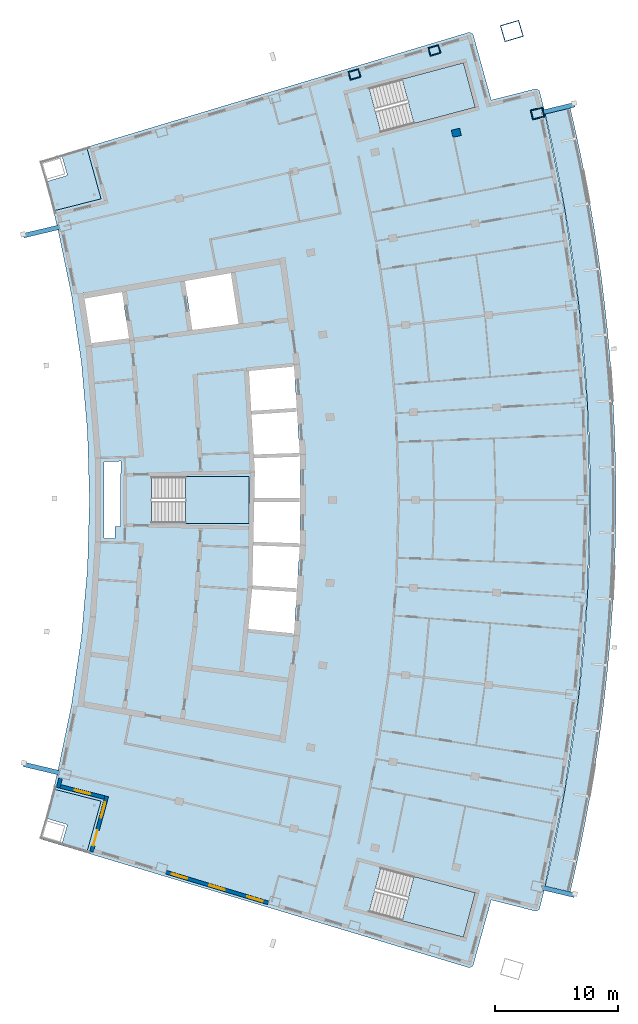
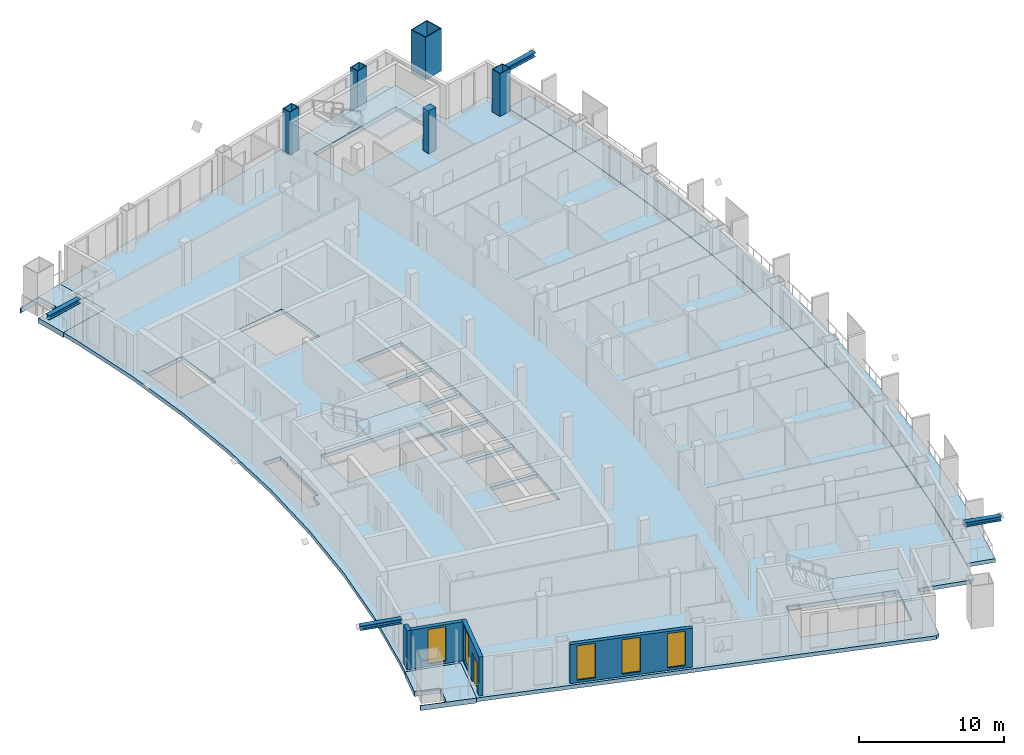
# One storey, part 6 of 17: 7 slabs, 5 columns, 5 windows, 4 members, 4 walls, 1 door, 6 openings, 3 elements without a shape of their own.
"""IFC4 building model written with IfcOpenShell, lengths in metres."""

from ifc_helpers import new_model, si_unit, direction, frame, frame_2d, origin, origin_2d, place, context, subcontext, project, spatial, polyline, rectangle, hollow_rectangle, i_section, outline, extrude, material, layer, layer_set, material_profile, profile_set, type_object, element, fill, aggregate, save


model = new_model("IFC4")

# Units and contexts
model_context = context("Model", 3, precision=1e-05, world=origin(), true_north=direction((0.0, 1.0)))
body_context = subcontext(model_context, "Body", "Model", "MODEL_VIEW")
ifc_project = project(units=[si_unit("LENGTHUNIT", "METRE"), si_unit("AREAUNIT", "SQUARE_METRE"), si_unit("VOLUMEUNIT", "CUBIC_METRE"), si_unit("PLANEANGLEUNIT", "RADIAN"), si_unit("MASSUNIT", "GRAM", prefix="KILO")], contexts=[model_context])

# Site, building, storey
site_placement = place(None, origin())
site = spatial("IfcSite", under=ifc_project, at=site_placement, CompositionType="ELEMENT")
building_placement = place(site_placement, origin())
building = spatial("IfcBuilding", under=site, at=building_placement, Name="Alderwake Tower", CompositionType="ELEMENT")
storey_placement = place(building_placement, frame((0.0, 0.0, 274.39990234375)))
storey = spatial("IfcBuildingStorey", under=building, at=storey_placement, Name="L68", CompositionType="ELEMENT", Elevation=274.39990234375)

# Columns
ifc_material_1 = material(Name="Steel ASTM A572 Grade 50 concrete filled C70/85", Category="concrete")
ifc_material_profile_1 = material_profile(ifc_material_1, hollow_rectangle(XDim=0.699951171875, YDim=0.89990234375, WallThickness=0.050048828125, at=origin_2d()), Name="BOX 900X700X50")
ifc_profile_set_1 = profile_set([ifc_material_profile_1], Name="Steel ASTM A572 Grade 50 concrete filled C70/85")
column_type_1 = type_object("IfcColumnType", Name="End column Z5", PredefinedType="COLUMN", material=ifc_profile_set_1)
for number, where, z_axis, x_axis, name in (
    (1, (37.59326171875, 95.678466796875, 0.0), (0.0, 0.0, 1.0), (-0.282858780249, 0.959161566388, 0.0), "Column R12-C3"),
    (2, (44.106201171875, 97.6337890625, 0.0), (0.0, 0.0, 1.0), (-0.28310485669, 0.95908896361, 0.0), "Column R12-C4"),
):
    element("IfcColumn", number, at=place(storey_placement, frame(where, z_axis=z_axis, x_axis=x_axis)), inside=storey, type_object=column_type_1, Name=name, PredefinedType="COLUMN", context=body_context, shape_type="SweptSolid", body=[
        extrude(hollow_rectangle(XDim=0.699951171875, YDim=0.89990234375, WallThickness=0.050048828125, at=origin_2d()), origin(), (0.0, 0.0, 1.0), 3.60009765625),
    ])
ifc_material_2 = material(Name="Concrete C70/85", Category="concrete")
ifc_material_profile_2 = material_profile(ifc_material_2, rectangle(XDim=0.60009765625, YDim=0.699951171875, at=origin_2d()), Name="RC 700X600")
ifc_profile_set_2 = profile_set([ifc_material_profile_2], Name="Concrete C70/85")
column_type_2 = type_object("IfcColumnType", Name="Interior column Z5", PredefinedType="COLUMN", material=ifc_profile_set_2)
column_1_placement = place(storey_placement, frame((45.893310546875, 90.920166015625, 0.0), z_axis=(0.0, 0.0, 1.0), x_axis=(-0.231221547198, 0.972901123502, 0.0)))
element("IfcColumn", 3, at=column_1_placement, inside=storey, type_object=column_type_2, Name="Column R11-C4", PredefinedType="COLUMN", context=body_context, shape_type="SweptSolid", body=[
    extrude(rectangle(XDim=0.60009765625, YDim=0.699951171875, at=origin_2d()), origin(), (0.0, 0.0, 1.0), 3.60009765625),
])
ifc_material_3 = material(Name="Steel ASTM A572 Grade 50 concrete filled C70/85", Category="concrete")
ifc_material_profile_3 = material_profile(ifc_material_3, hollow_rectangle(XDim=1.39990234375, YDim=1.60009765625, WallThickness=0.070068359375, at=origin_2d()), Name="BOX 1600X1400X70")
ifc_profile_set_3 = profile_set([ifc_material_profile_3], Name="Steel ASTM A572 Grade 50 concrete filled C70/85")
column_type_3 = type_object("IfcColumnType", Name="Mega column Z5", PredefinedType="COLUMN", material=ifc_profile_set_3)
column_2_placement = place(storey_placement, frame((50.415771484375, 99.217041015625, 0.0), z_axis=(0.0, 0.0, 1.0), x_axis=(-0.281214445816, 0.959644952816, 0.0)))
element("IfcColumn", 4, at=column_2_placement, inside=storey, type_object=column_type_3, Name="Column R12-C5", PredefinedType="COLUMN", context=body_context, shape_type="SweptSolid", body=[
    extrude(hollow_rectangle(XDim=1.39990234375, YDim=1.60009765625, WallThickness=0.070068359375, at=origin_2d()), origin(), (0.0, 0.0, 1.0), 3.60009765625),
])
ifc_material_4 = material(Name="Steel ASTM A572 Grade 50 concrete filled C70/85", Category="concrete")
ifc_material_profile_4 = material_profile(ifc_material_4, hollow_rectangle(XDim=0.800048828125, YDim=1.0, WallThickness=0.054931640625, at=origin_2d()), Name="BOX 1000X800X55")
ifc_profile_set_4 = profile_set([ifc_material_profile_4], Name="Steel ASTM A572 Grade 50 concrete filled C70/85")
column_type_4 = type_object("IfcColumnType", Name="Perimeter column Z5", PredefinedType="COLUMN", material=ifc_profile_set_4)
column_3_placement = place(storey_placement, frame((52.509033203125, 92.492431640625, 0.0), z_axis=(0.0, 0.0, 1.0), x_axis=(-0.231221547198, 0.972901123502, 0.0)))
element("IfcColumn", 5, at=column_3_placement, inside=storey, type_object=column_type_4, Name="Column R11-C5", PredefinedType="COLUMN", context=body_context, shape_type="SweptSolid", body=[
    extrude(hollow_rectangle(XDim=0.800048828125, YDim=1.0, WallThickness=0.054931640625, at=origin_2d()), origin(), (0.0, 0.0, 1.0), 3.60009765625),
])

# Members
ifc_material_5 = material(Name="Steel ASTM A992 Grade 50", Category="steel")
ifc_material_profile_5 = material_profile(ifc_material_5, i_section(OverallWidth=0.3740234375, OverallDepth=0.372314453125, WebThickness=0.016357421875, FlangeThickness=0.026123046875, at=origin_2d()), Name="W14X132")
ifc_profile_set_5 = profile_set([ifc_material_profile_5], Name="Steel ASTM A992 Grade 50")
member_type = type_object("IfcMemberType", Name="Brace node stub W14X132", PredefinedType="MEMBER", material=ifc_profile_set_5)
member_1_placement = place(storey_placement, frame((52.946533203125, 29.40185546875, 3.393798828125), z_axis=(0.97305090848, -0.230590393353, 0.0), x_axis=(0.230590393353, 0.97305090848, 0.0)))
element("IfcMember", 6, at=member_1_placement, inside=storey, type_object=member_type, Name="Brace node stub BS.FR03-C5.2780", PredefinedType="MEMBER", context=body_context, shape_type="SweptSolid", body=[
    extrude(i_section(OverallWidth=0.3740234375, OverallDepth=0.372314453125, WebThickness=0.016357421875, FlangeThickness=0.026123046875, at=origin_2d()), origin(), (0.0, 0.0, 1.0), 2.64892578125),
])
member_2_placement = place(storey_placement, frame((52.947265625, 92.5947265625, 3.393798828125), z_axis=(0.972745862566, 0.231873859803, 0.0), x_axis=(-0.231873859803, 0.972745862566, 0.0)))
element("IfcMember", 7, at=member_2_placement, inside=storey, type_object=member_type, Name="Brace node stub BS.FR11-C5.2780", PredefinedType="MEMBER", context=body_context, shape_type="SweptSolid", body=[
    extrude(i_section(OverallWidth=0.3740234375, OverallDepth=0.372314453125, WebThickness=0.016357421875, FlangeThickness=0.026123046875, at=origin_2d()), origin(), (0.0, 0.0, 1.0), 2.649169921875),
])
for number, where, z_axis, x_axis, name in (
    (8, (13.54443359375, 38.76806640625, 3.393798828125), (-0.972911461409, 0.2311780445, 0.0), (-0.2311780445, -0.972911461409, 0.0), "Brace node stub BS.RR03-C0.2780"),
    (9, (13.54443359375, 83.23193359375, 3.393798828125), (-0.972911461409, -0.2311780445, 0.0), (0.2311780445, -0.972911461409, 0.0), "Brace node stub BS.RR11-C0.2780"),
):
    element("IfcMember", number, at=place(storey_placement, frame(where, z_axis=z_axis, x_axis=x_axis)), inside=storey, type_object=member_type, Name=name, PredefinedType="MEMBER", context=body_context, shape_type="SweptSolid", body=[
        extrude(i_section(OverallWidth=0.3740234375, OverallDepth=0.372314453125, WebThickness=0.016357421875, FlangeThickness=0.026123046875, at=origin_2d()), origin(), (0.0, 0.0, 1.0), 3.0087890625),
    ])

# Slabs
ifc_material_6 = material(Name="Concrete C50/60", Category="concrete")
ifc_layer_1 = layer(ifc_material_6, 0.320068359375)
ifc_layer_set_1 = layer_set([ifc_layer_1], Name="Balcony slab 320")
slab_type_1 = type_object("IfcSlabType", Name="Balcony slab 320", PredefinedType="FLOOR", material=ifc_layer_set_1)
slab_1_placement = place(storey_placement, frame((0.0, 0.0, -0.31982421875)))
element("IfcSlab", 10, at=slab_1_placement, inside=storey, type_object=slab_type_1, Name="Balcony BF03", PredefinedType="FLOOR", context=body_context, shape_type="SweptSolid", body=[
    extrude(outline(polyline([(55.135986328125, 28.88330078125), (55.58984375, 30.857421875), (56.01513671875, 32.837890625), (56.411376953125, 34.82421875), (56.778564453125, 36.81640625), (57.11669921875, 38.813720703125), (57.425537109375, 40.8154296875), (57.705322265625, 42.82177734375), (57.955810546875, 44.831787109375), (58.177001953125, 46.84521484375), (58.36865234375, 48.86181640625), (58.531005859375, 50.880859375), (58.663818359375, 52.902099609375), (58.76708984375, 54.925048828125), (58.8408203125, 56.94921875), (58.88525390625, 58.974365234375), (58.89990234375, 61.0), (58.88525390625, 63.025634765625), (58.8408203125, 65.05078125), (58.76708984375, 67.074951171875), (58.663818359375, 69.097900390625), (58.531005859375, 71.119140625), (58.36865234375, 73.13818359375), (58.177001953125, 75.15478515625), (57.955810546875, 77.168212890625), (57.705322265625, 79.17822265625), (57.425537109375, 81.1845703125), (57.11669921875, 83.186279296875), (56.778564453125, 85.18359375), (56.411376953125, 87.17578125), (56.01513671875, 89.162109375), (55.58984375, 91.142578125), (55.135986328125, 93.11669921875), (53.093017578125, 92.631103515625), (53.5400390625, 90.68701171875), (53.958740234375, 88.736328125), (54.348876953125, 86.77978515625), (54.710693359375, 84.818115234375), (55.043701171875, 82.85107421875), (55.347900390625, 80.87939453125), (55.623291015625, 78.903564453125), (55.8701171875, 76.923828125), (56.087890625, 74.94091796875), (56.276611328125, 72.95458984375), (56.4365234375, 70.96630859375), (56.5673828125, 68.9755859375), (56.669189453125, 66.983154296875), (56.74169921875, 64.989501953125), (56.785400390625, 62.994873046875), (56.800048828125, 61.0), (56.785400390625, 59.005126953125), (56.74169921875, 57.010498046875), (56.669189453125, 55.016845703125), (56.5673828125, 53.0244140625), (56.4365234375, 51.03369140625), (56.276611328125, 49.04541015625), (56.087890625, 47.05908203125), (55.8701171875, 45.076171875), (55.623291015625, 43.096435546875), (55.347900390625, 41.12060546875), (55.043701171875, 39.14892578125), (54.710693359375, 37.181884765625), (54.348876953125, 35.22021484375), (53.958740234375, 33.263671875), (53.5400390625, 31.31298828125), (53.093017578125, 29.368896484375), (55.135986328125, 28.88330078125)])), origin(), (0.0, 0.0, 1.0), 0.31982421875),
])
ifc_material_7 = material(Name="Concrete C50/60", Category="concrete")
ifc_layer_2 = layer(ifc_material_7, 0.320068359375)
ifc_layer_set_2 = layer_set([ifc_layer_2], Name="Concrete C50/60 post-tensioned flat plate 320")
slab_type_2 = type_object("IfcSlabType", Name="Concrete C50/60 post-tensioned flat plate 320", PredefinedType="FLOOR", material=ifc_layer_set_2)
slab_2_placement = place(storey_placement, frame((0.0, 0.0, -0.31982421875)))
element("IfcSlab", 11, at=slab_2_placement, inside=storey, type_object=slab_type_2, Name="Floor slab L68", PredefinedType="FLOOR", context=body_context, shape_type="SweptSolid", body=[
    extrude(outline(polyline([(13.06494140625, 37.443115234375), (13.3984375, 38.802734375), (14.53369140625, 44.28564453125), (15.347412109375, 49.825439453125), (15.836669921875, 55.4033203125), (16.0, 61.0), (15.836669921875, 66.5966796875), (15.347412109375, 72.174560546875), (14.53369140625, 77.71435546875), (13.3984375, 83.197265625), (13.06494140625, 84.556884765625), (16.942626953125, 85.53857421875), (15.776611328125, 89.7548828125), (46.970947265625, 99.120361328125), (47.252685546875, 98.96484375), (48.73974609375, 93.587158203125), (52.394287109375, 94.51220703125), (52.672119140625, 94.34521484375), (53.093017578125, 92.631103515625), (54.710693359375, 84.818115234375), (55.8701171875, 76.923828125), (56.5673828125, 68.9755859375), (56.800048828125, 61.0), (56.5673828125, 53.0244140625), (55.8701171875, 45.076171875), (54.710693359375, 37.181884765625), (53.093017578125, 29.368896484375), (52.672119140625, 27.65478515625), (52.394287109375, 27.48779296875), (48.73974609375, 28.412841796875), (47.252685546875, 23.03515625), (46.970947265625, 22.879638671875), (15.776611328125, 32.2451171875), (16.942626953125, 36.46142578125), (13.06494140625, 37.443115234375)]), holes=[polyline([(29.25732421875, 53.7685546875), (28.939697265625, 50.49072265625), (32.646484375, 50.128173828125), (32.6318359375, 49.978759765625), (32.661865234375, 49.975830078125), (32.90087890625, 53.64794921875), (33.139892578125, 57.320068359375), (33.139892578125, 61.0), (33.139892578125, 64.679931640625), (32.90087890625, 68.35205078125), (32.661865234375, 72.024169921875), (32.6318359375, 72.021240234375), (32.646484375, 71.871826171875), (28.886962890625, 71.50390625), (28.88720703125, 71.50048828125), (28.99462890625, 71.506591796875), (29.184814453125, 68.26025390625), (32.861083984375, 68.499755859375), (32.87109375, 68.35009765625), (32.880615234375, 68.200439453125), (29.2021484375, 67.960693359375), (29.392578125, 64.7080078125), (33.105224609375, 64.828857421875), (33.110107421875, 64.678955078125), (33.114990234375, 64.529052734375), (29.41015625, 64.408447265625), (29.4765625, 63.27685546875), (29.429443359375, 61.14990234375), (33.110107421875, 61.14990234375), (33.110107421875, 61.0), (33.110107421875, 60.85009765625), (29.4228515625, 60.85009765625), (29.350830078125, 57.593505859375), (33.114990234375, 57.470947265625), (33.110107421875, 57.321044921875), (33.105224609375, 57.171142578125), (29.34423828125, 57.29345703125), (29.2705078125, 53.9697265625), (29.274169921875, 53.969482421875), (29.2783203125, 54.0341796875), (32.880615234375, 53.799560546875), (32.87109375, 53.64990234375), (32.861083984375, 53.500244140625), (29.2587890625, 53.73486328125), (29.260986328125, 53.768310546875), (29.25732421875, 53.7685546875)]), polyline([(21.050048828125, 62.875), (21.050048828125, 59.125), (29.0, 59.125), (29.0, 62.875), (21.050048828125, 62.875)]), polyline([(15.54345703125, 77.892822265625), (15.437744140625, 77.874267578125), (15.4384765625, 77.87060546875), (15.519287109375, 77.8828125), (16.180908203125, 73.579833984375), (16.210693359375, 73.583740234375), (16.184814453125, 73.781982421875), (19.224609375, 74.1796875), (18.656005859375, 77.940673828125), (18.852294921875, 77.97021484375), (18.8505859375, 77.980224609375), (15.626220703125, 77.418212890625), (15.54345703125, 77.892822265625)]), polyline([(27.521240234375, 79.491943359375), (23.77783203125, 78.83935546875), (24.384033203125, 74.858642578125), (24.3642578125, 74.855712890625), (24.36474609375, 74.851806640625), (28.152587890625, 75.347412109375), (27.521240234375, 79.491943359375)]), polyline([(47.436279296875, 28.996826171875), (39.754150390625, 31.043212890625), (38.7890625, 27.41943359375), (46.47119140625, 25.373291015625), (47.436279296875, 28.996826171875)]), polyline([(46.47119140625, 96.626708984375), (38.7890625, 94.58056640625), (39.754150390625, 90.956787109375), (47.436279296875, 93.003173828125), (46.47119140625, 96.626708984375)]), polyline([(17.189453125, 64.114990234375), (17.189453125, 57.885009765625), (18.06298828125, 57.85400390625), (18.090576171875, 58.84375), (18.544189453125, 58.831298828125), (18.529296875, 58.8681640625), (18.5234375, 58.891845703125), (18.5185546875, 58.940673828125), (18.5185546875, 63.060302734375), (18.5234375, 63.109130859375), (18.53759765625, 63.156005859375), (18.560791015625, 63.19921875), (18.588623046875, 63.2333984375), (18.562744140625, 64.16357421875), (17.189453125, 64.114990234375)])]), origin(), (0.0, 0.0, 1.0), 0.31982421875),
])

# Stair, slab
ifc_material_8 = material(Name="Concrete C40/50", Category="concrete")
stair_type = type_object("IfcStairType", Name="Core exit stair", PredefinedType="HALF_TURN_STAIR", material=ifc_material_8)
stair_1_placement = place(storey_placement, origin())
stair_1 = element("IfcStair", 12, at=stair_1_placement, inside=storey, type_object=stair_type, Name="L68 Exit Stair B", PredefinedType="HALF_TURN_STAIR")
ifc_material_9 = material(Name="Concrete C40/50", Category="concrete")
ifc_layer_3 = layer(ifc_material_9, 0.199951171875)
ifc_layer_set_3 = layer_set([ifc_layer_3], Name="Core stair landing 200")
slab_type_3 = type_object("IfcSlabType", Name="Core stair landing 200", PredefinedType="LANDING", material=ifc_layer_set_3)
slab_3_placement = place(storey_placement, frame((0.0, 0.0, 1.60009765625)))
slab_3 = element("IfcSlab", 13, at=slab_3_placement, type_object=slab_type_3, Name="ST-B landing 1", PredefinedType="LANDING", context=body_context, shape_type="SweptSolid", body=[
    extrude(outline(polyline([(23.830078125, 59.074951171875), (29.0, 59.074951171875), (29.0, 62.925048828125), (23.830078125, 62.925048828125), (23.830078125, 59.074951171875)])), origin(), (0.0, 0.0, 1.0), 0.199951171875),
])
aggregate(stair_1, [slab_3])

stair_2_placement = place(storey_placement, origin())
stair_2 = element("IfcStair", 14, at=stair_2_placement, inside=storey, type_object=stair_type, Name="L68 Exit Stair A", PredefinedType="HALF_TURN_STAIR")
slab_4_placement = place(storey_placement, frame((0.0, 0.0, 1.60009765625)))
slab_4 = element("IfcSlab", 15, at=slab_4_placement, type_object=slab_type_3, Name="ST-A landing 1", PredefinedType="LANDING", context=body_context, shape_type="SweptSolid", body=[
    extrude(outline(polyline([(42.440673828125, 91.67236328125), (47.436279296875, 93.003173828125), (46.47119140625, 96.626708984375), (41.475341796875, 95.296142578125), (42.440673828125, 91.67236328125)])), origin(), (0.0, 0.0, 1.0), 0.199951171875),
])
aggregate(stair_2, [slab_4])

stair_3_placement = place(storey_placement, origin())
stair_3 = element("IfcStair", 16, at=stair_3_placement, inside=storey, type_object=stair_type, Name="L68 Exit Stair C", PredefinedType="HALF_TURN_STAIR")
slab_5_placement = place(storey_placement, frame((0.0, 0.0, 1.60009765625)))
slab_5 = element("IfcSlab", 17, at=slab_5_placement, type_object=slab_type_3, Name="ST-C landing 1", PredefinedType="LANDING", context=body_context, shape_type="SweptSolid", body=[
    extrude(outline(polyline([(41.475341796875, 26.703857421875), (46.47119140625, 25.373291015625), (47.436279296875, 28.996826171875), (42.4404296875, 30.32763671875), (41.475341796875, 26.703857421875)])), origin(), (0.0, 0.0, 1.0), 0.199951171875),
])
aggregate(stair_3, [slab_5])

# Slabs
ifc_material_10 = material(Name="Concrete C50/60", Category="concrete")
ifc_layer_4 = layer(ifc_material_10, 0.419921875)
ifc_layer_set_4 = layer_set([ifc_layer_4], Name="Terrace slab 420")
slab_type_4 = type_object("IfcSlabType", Name="Terrace slab 420", PredefinedType="FLOOR", material=ifc_layer_set_4)
slab_6_placement = place(storey_placement, frame((0.0, 0.0, -0.419921875)))
element("IfcSlab", 18, at=slab_6_placement, inside=storey, type_object=slab_type_4, Name="Corner terrace RS", PredefinedType="FLOOR", context=body_context, shape_type="SweptSolid", body=[
    extrude(outline(polyline([(15.776611328125, 32.2451171875), (11.945556640625, 33.395263671875), (11.9697265625, 33.478271484375), (11.97607421875, 33.46826171875), (11.985107421875, 33.456298828125), (11.9951171875, 33.44580078125), (12.006103515625, 33.435791015625), (12.017822265625, 33.42724609375), (12.03076171875, 33.419921875), (12.0439453125, 33.413818359375), (12.05810546875, 33.408935546875), (13.594482421875, 32.963134765625), (13.60888671875, 32.959716796875), (13.62353515625, 32.957763671875), (13.63818359375, 32.957275390625), (13.65283203125, 32.9580078125), (13.66748046875, 32.96044921875), (13.681640625, 32.964111328125), (13.695556640625, 32.969482421875), (13.708740234375, 32.975830078125), (13.72119140625, 32.9833984375), (13.73291015625, 32.992431640625), (13.74365234375, 33.00244140625), (13.75341796875, 33.013427734375), (13.76220703125, 33.025390625), (13.76953125, 33.0380859375), (13.775634765625, 33.051513671875), (13.780517578125, 33.0654296875), (14.17041015625, 34.409912109375), (14.173828125, 34.42431640625), (14.17578125, 34.43896484375), (14.176513671875, 34.45361328125), (14.175537109375, 34.46826171875), (14.173095703125, 34.48291015625), (14.16943359375, 34.4970703125), (14.164306640625, 34.510986328125), (14.157958984375, 34.524169921875), (14.150146484375, 34.53662109375), (14.14111328125, 34.54833984375), (14.131103515625, 34.55908203125), (14.1201171875, 34.56884765625), (14.1083984375, 34.577392578125), (14.095458984375, 34.5849609375), (14.082275390625, 34.591064453125), (14.068115234375, 34.595947265625), (12.531494140625, 35.04150390625), (12.517333984375, 35.044921875), (12.502685546875, 35.047119140625), (12.488037109375, 35.047607421875), (12.473388671875, 35.046630859375), (12.458740234375, 35.044189453125), (12.444580078125, 35.04052734375), (12.4306640625, 35.035400390625), (12.418701171875, 35.029541015625), (12.71142578125, 36.08837890625), (13.06494140625, 37.443115234375), (16.942626953125, 36.46142578125), (15.776611328125, 32.2451171875)])), origin(), (0.0, 0.0, 1.0), 0.419921875),
])
slab_7_placement = place(storey_placement, frame((0.0, 0.0, -0.419921875)))
element("IfcSlab", 19, at=slab_7_placement, inside=storey, type_object=slab_type_4, Name="Corner terrace RN", PredefinedType="FLOOR", context=body_context, shape_type="SweptSolid", body=[
    extrude(outline(polyline([(12.418701171875, 86.970458984375), (12.4306640625, 86.964599609375), (12.444580078125, 86.95947265625), (12.458740234375, 86.955810546875), (12.473388671875, 86.953369140625), (12.488037109375, 86.952392578125), (12.502685546875, 86.952880859375), (12.517333984375, 86.955078125), (12.531494140625, 86.95849609375), (14.068115234375, 87.404052734375), (14.082275390625, 87.408935546875), (14.095458984375, 87.4150390625), (14.1083984375, 87.422607421875), (14.1201171875, 87.43115234375), (14.131103515625, 87.44091796875), (14.14111328125, 87.45166015625), (14.150146484375, 87.46337890625), (14.157958984375, 87.475830078125), (14.164306640625, 87.489013671875), (14.16943359375, 87.5029296875), (14.173095703125, 87.51708984375), (14.175537109375, 87.53173828125), (14.176513671875, 87.54638671875), (14.17578125, 87.56103515625), (14.173828125, 87.57568359375), (14.17041015625, 87.590087890625), (13.780517578125, 88.9345703125), (13.775634765625, 88.948486328125), (13.76953125, 88.9619140625), (13.76220703125, 88.974609375), (13.75341796875, 88.986572265625), (13.74365234375, 88.99755859375), (13.73291015625, 89.007568359375), (13.72119140625, 89.0166015625), (13.708740234375, 89.024169921875), (13.695556640625, 89.030517578125), (13.681640625, 89.035888671875), (13.66748046875, 89.03955078125), (13.65283203125, 89.0419921875), (13.63818359375, 89.042724609375), (13.62353515625, 89.042236328125), (13.60888671875, 89.040283203125), (13.594482421875, 89.036865234375), (12.05810546875, 88.591064453125), (12.0439453125, 88.586181640625), (12.03076171875, 88.580078125), (12.017822265625, 88.57275390625), (12.006103515625, 88.564208984375), (11.9951171875, 88.55419921875), (11.985107421875, 88.543701171875), (11.97607421875, 88.53173828125), (11.9697265625, 88.521728515625), (11.945556640625, 88.604736328125), (15.776611328125, 89.7548828125), (16.942626953125, 85.53857421875), (13.06494140625, 84.556884765625), (12.71142578125, 85.91162109375), (12.418701171875, 86.970458984375)])), origin(), (0.0, 0.0, 1.0), 0.419921875),
])

# Wall
ifc_material_11 = material(Name="Precast concrete C50/60 spandrel panel", Category="concrete")
ifc_layer_5 = layer(ifc_material_11, 0.300048828125)
ifc_layer_set_5 = layer_set([ifc_layer_5], Name="External wall EW1 Precast concrete C50/60 spandrel")
wall_type_1 = type_object("IfcWallType", Name="External wall EW1 Precast concrete C50/60 spandrel", PredefinedType="SOLIDWALL", material=ifc_layer_set_5)
wall_1_placement = place(storey_placement, frame((13.643310546875, 38.33154296875, 0.0), z_axis=(0.0, 0.0, 1.0), x_axis=(-0.238313493867, -0.971188281767, 0.0)))
element("IfcWall", 20, at=wall_1_placement, inside=storey, type_object=wall_type_1, Name="External wall 1", PredefinedType="SOLIDWALL", context=body_context, shape_type="SweptSolid", body=[
    extrude(rectangle(XDim=0.80322265625, YDim=0.300048828125, at=frame_2d((0.401611328125, 0.0))), origin(), (0.0, 0.0, 1.0), 3.280029296875),
])

# Wall, opening, window
ifc_material_12 = material(Name="Bronze metal cladding on lightweight framing")
ifc_layer_6 = layer(ifc_material_12, 0.300048828125)
ifc_layer_set_6 = layer_set([ifc_layer_6], Name="External wall EW2 bronze metal cladding")
wall_type_2 = type_object("IfcWallType", Name="External wall EW2 bronze metal cladding", PredefinedType="SOLIDWALL", material=ifc_layer_set_6)
wall_2_placement = place(storey_placement, frame((13.633056640625, 37.660400390625, 0.0), z_axis=(0.0, 0.0, 1.0), x_axis=(0.969417366605, -0.245417948254, 0.0)))
wall_2 = element("IfcWall", 21, at=wall_2_placement, inside=storey, type_object=wall_type_2, Name="External wall 2", PredefinedType="SOLIDWALL", context=body_context, shape_type="SweptSolid", body=[
    extrude(rectangle(XDim=3.70556640625, YDim=0.300048828125, at=frame_2d((1.852783203125, 0.0))), origin(), (0.0, 0.0, 1.0), 3.280029296875),
])
opening_1_placement = place(wall_2_placement, frame((1.202880859375, 0.0, 0.199951171875)))
opening_1 = element("IfcOpeningElement", 22, at=opening_1_placement, cuts=wall_2, Name="Opening W1", PredefinedType="OPENING", context=body_context, shape_type="SweptSolid", body=[
    extrude(rectangle(XDim=1.300048828125, YDim=2.89990234375, at=frame_2d((0.64990234375, 1.449951171875))), frame((0.0, 0.159912109375, 0.0), z_axis=(0.0, -1.0, 0.0), x_axis=(1.0, 0.0, 0.0)), (0.0, 0.0, 1.0), 0.320068359375),
])
ifc_material_13 = material(Name="Bronze tinted glass in aluminium frame", Category="aluminium")
window_type = type_object("IfcWindowType", Name="Window W1 tall fixed and vent", PartitioningType="DOUBLE_PANEL_VERTICAL", PredefinedType="WINDOW", material=ifc_material_13)
window_1_placement = place(opening_1_placement, origin())
window_1 = element("IfcWindow", 23, at=window_1_placement, inside=storey, type_object=window_type, Name="Window W1 tall fixed and vent", OverallHeight=2.89990234375, OverallWidth=1.300048828125, PartitioningType="DOUBLE_PANEL_VERTICAL", PredefinedType="WINDOW", context=body_context, shape_type="SweptSolid", body=[
    extrude(rectangle(XDim=1.300048828125, YDim=2.89990234375, at=frame_2d((0.64990234375, 1.449951171875))), frame((0.0, 0.030029296875, 0.0), z_axis=(0.0, -1.0, 0.0), x_axis=(1.0, 0.0, 0.0)), (0.0, 0.0, 1.0), 0.06005859375),
])
fill(opening_1, window_1)

# Wall, openings, door, window
wall_3_placement = place(storey_placement, frame((17.410400390625, 36.85888671875, 0.0), z_axis=(0.0, 0.0, 1.0), x_axis=(-0.264592640785, -0.96436027212, 0.0)))
wall_3 = element("IfcWall", 24, at=wall_3_placement, inside=storey, type_object=wall_type_2, Name="External wall 3", PredefinedType="SOLIDWALL", context=body_context, shape_type="SweptSolid", body=[
    extrude(rectangle(XDim=4.690185546875, YDim=0.300048828125, at=frame_2d((2.34521484375, 0.0))), origin(), (0.0, 0.0, 1.0), 3.280029296875),
])
opening_2_placement = place(wall_3_placement, frame((0.5224609375, 0.0, 0.199951171875)))
opening_2 = element("IfcOpeningElement", 25, at=opening_2_placement, cuts=wall_3, Name="Opening W1", PredefinedType="OPENING", context=body_context, shape_type="SweptSolid", body=[
    extrude(rectangle(XDim=1.300048828125, YDim=2.89990234375, at=frame_2d((0.64990234375, 1.449951171875))), frame((0.0, 0.159912109375, 0.0), z_axis=(0.0, -1.0, 0.0), x_axis=(1.0, 0.0, 0.0)), (0.0, 0.0, 1.0), 0.320068359375),
])
opening_3_placement = place(wall_3_placement, frame((2.867431640625, 0.0, 0.0)))
opening_3 = element("IfcOpeningElement", 26, at=opening_3_placement, cuts=wall_3, Name="Opening D01", PredefinedType="OPENING", context=body_context, shape_type="SweptSolid", body=[
    extrude(rectangle(XDim=1.300048828125, YDim=2.39990234375, at=frame_2d((0.64990234375, 1.199951171875))), frame((0.0, 0.159912109375, 0.0), z_axis=(0.0, -1.0, 0.0), x_axis=(1.0, 0.0, 0.0)), (0.0, 0.0, 1.0), 0.320068359375),
])
ifc_material_14 = material(Name="Bronze tinted glass in aluminium frame", Category="aluminium")
door_type = type_object("IfcDoorType", Name="Balcony door BD sliding", OperationType="SLIDING_TO_LEFT", PredefinedType="DOOR", material=ifc_material_14)
door_placement = place(opening_3_placement, origin())
door = element("IfcDoor", 27, at=door_placement, inside=storey, type_object=door_type, Name="Door D01", OperationType="SLIDING_TO_LEFT", OverallHeight=2.39990234375, OverallWidth=1.300048828125, PredefinedType="DOOR", context=body_context, shape_type="SweptSolid", body=[
    extrude(rectangle(XDim=1.300048828125, YDim=2.39990234375, at=frame_2d((0.64990234375, 1.199951171875))), frame((0.0, 0.02490234375, 0.0), z_axis=(0.0, -1.0, 0.0), x_axis=(1.0, 0.0, 0.0)), (0.0, 0.0, 1.0), 0.050048828125),
])
fill(opening_3, door)
window_2_placement = place(opening_2_placement, origin())
window_2 = element("IfcWindow", 28, at=window_2_placement, inside=storey, type_object=window_type, Name="Window W1 tall fixed and vent", OverallHeight=2.89990234375, OverallWidth=1.300048828125, PartitioningType="DOUBLE_PANEL_VERTICAL", PredefinedType="WINDOW", context=body_context, shape_type="SweptSolid", body=[
    extrude(rectangle(XDim=1.300048828125, YDim=2.89990234375, at=frame_2d((0.64990234375, 1.449951171875))), frame((0.0, 0.030029296875, 0.0), z_axis=(0.0, -1.0, 0.0), x_axis=(1.0, 0.0, 0.0)), (0.0, 0.0, 1.0), 0.06005859375),
])
fill(opening_2, window_2)

# Wall, openings, windows
wall_4_placement = place(storey_placement, frame((22.24658203125, 30.668212890625, 0.0), z_axis=(0.0, 0.0, 1.0), x_axis=(0.957762902908, -0.287559075345, 0.0)))
wall_4 = element("IfcWall", 29, at=wall_4_placement, inside=storey, type_object=wall_type_2, Name="External wall 5", PredefinedType="SOLIDWALL", context=body_context, shape_type="SweptSolid", body=[
    extrude(rectangle(XDim=8.696533203125, YDim=0.300048828125, at=frame_2d((4.34814453125, 0.0))), origin(), (0.0, 0.0, 1.0), 3.280029296875),
])
opening_4_placement = place(wall_4_placement, frame((0.498046875, 0.0, 0.199951171875)))
opening_4 = element("IfcOpeningElement", 30, at=opening_4_placement, cuts=wall_4, Name="Opening W1", PredefinedType="OPENING", context=body_context, shape_type="SweptSolid", body=[
    extrude(rectangle(XDim=1.300048828125, YDim=2.89990234375, at=frame_2d((0.64990234375, 1.449951171875))), frame((0.0, 0.159912109375, 0.0), z_axis=(0.0, -1.0, 0.0), x_axis=(1.0, 0.0, 0.0)), (0.0, 0.0, 1.0), 0.320068359375),
])
opening_5_placement = place(wall_4_placement, frame((3.697998046875, 0.0, 0.199951171875)))
opening_5 = element("IfcOpeningElement", 31, at=opening_5_placement, cuts=wall_4, Name="Opening W1", PredefinedType="OPENING", context=body_context, shape_type="SweptSolid", body=[
    extrude(rectangle(XDim=1.300048828125, YDim=2.89990234375, at=frame_2d((0.64990234375, 1.449951171875))), frame((0.0, 0.159912109375, 0.0), z_axis=(0.0, -1.0, 0.0), x_axis=(1.0, 0.0, 0.0)), (0.0, 0.0, 1.0), 0.320068359375),
])
opening_6_placement = place(wall_4_placement, frame((6.898193359375, 0.0, 0.199951171875)))
opening_6 = element("IfcOpeningElement", 32, at=opening_6_placement, cuts=wall_4, Name="Opening W1", PredefinedType="OPENING", context=body_context, shape_type="SweptSolid", body=[
    extrude(rectangle(XDim=1.300048828125, YDim=2.89990234375, at=frame_2d((0.64990234375, 1.449951171875))), frame((0.0, 0.159912109375, 0.0), z_axis=(0.0, -1.0, 0.0), x_axis=(1.0, 0.0, 0.0)), (0.0, 0.0, 1.0), 0.320068359375),
])
window_3_placement = place(opening_4_placement, origin())
window_3 = element("IfcWindow", 33, at=window_3_placement, inside=storey, type_object=window_type, Name="Window W1 tall fixed and vent", OverallHeight=2.89990234375, OverallWidth=1.300048828125, PartitioningType="DOUBLE_PANEL_VERTICAL", PredefinedType="WINDOW", context=body_context, shape_type="SweptSolid", body=[
    extrude(rectangle(XDim=1.300048828125, YDim=2.89990234375, at=frame_2d((0.64990234375, 1.449951171875))), frame((0.0, 0.030029296875, 0.0), z_axis=(0.0, -1.0, 0.0), x_axis=(1.0, 0.0, 0.0)), (0.0, 0.0, 1.0), 0.06005859375),
])
fill(opening_4, window_3)
window_4_placement = place(opening_5_placement, origin())
window_4 = element("IfcWindow", 34, at=window_4_placement, inside=storey, type_object=window_type, Name="Window W1 tall fixed and vent", OverallHeight=2.89990234375, OverallWidth=1.300048828125, PartitioningType="DOUBLE_PANEL_VERTICAL", PredefinedType="WINDOW", context=body_context, shape_type="SweptSolid", body=[
    extrude(rectangle(XDim=1.300048828125, YDim=2.89990234375, at=frame_2d((0.64990234375, 1.449951171875))), frame((0.0, 0.030029296875, 0.0), z_axis=(0.0, -1.0, 0.0), x_axis=(1.0, 0.0, 0.0)), (0.0, 0.0, 1.0), 0.06005859375),
])
fill(opening_5, window_4)
window_5_placement = place(opening_6_placement, origin())
window_5 = element("IfcWindow", 35, at=window_5_placement, inside=storey, type_object=window_type, Name="Window W1 tall fixed and vent", OverallHeight=2.89990234375, OverallWidth=1.300048828125, PartitioningType="DOUBLE_PANEL_VERTICAL", PredefinedType="WINDOW", context=body_context, shape_type="SweptSolid", body=[
    extrude(rectangle(XDim=1.300048828125, YDim=2.89990234375, at=frame_2d((0.64990234375, 1.449951171875))), frame((0.0, 0.030029296875, 0.0), z_axis=(0.0, -1.0, 0.0), x_axis=(1.0, 0.0, 0.0)), (0.0, 0.0, 1.0), 0.06005859375),
])
fill(opening_6, window_5)

save(model, "model.ifc")
